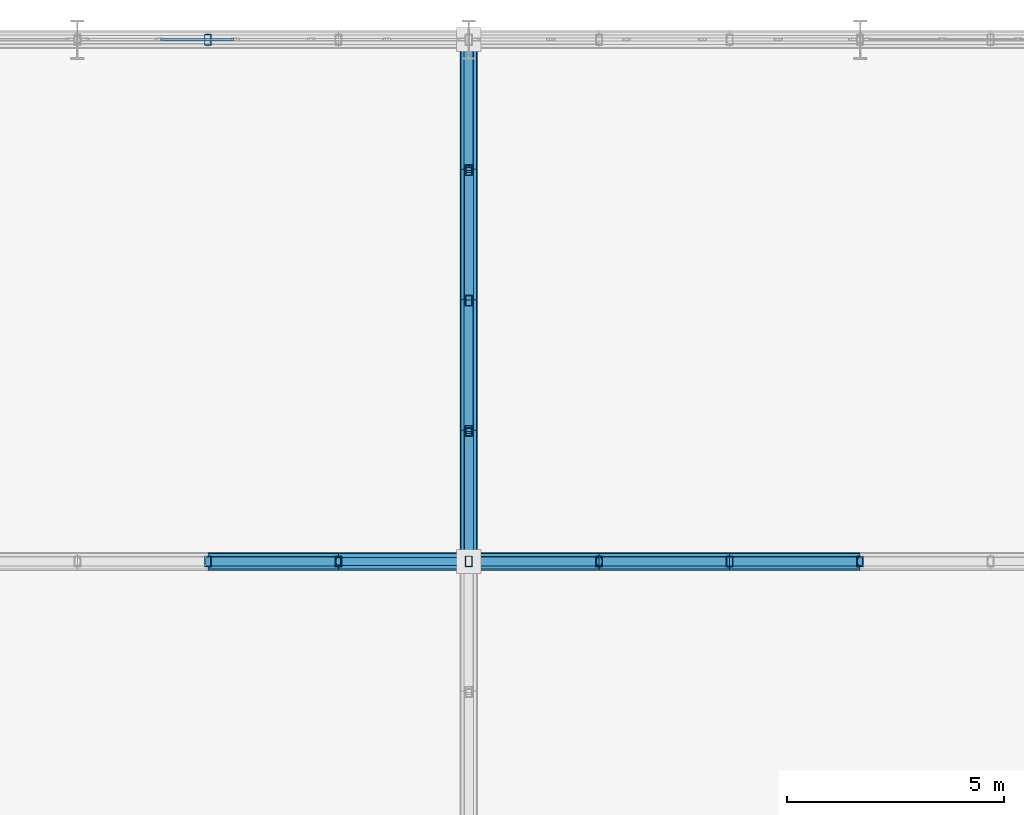
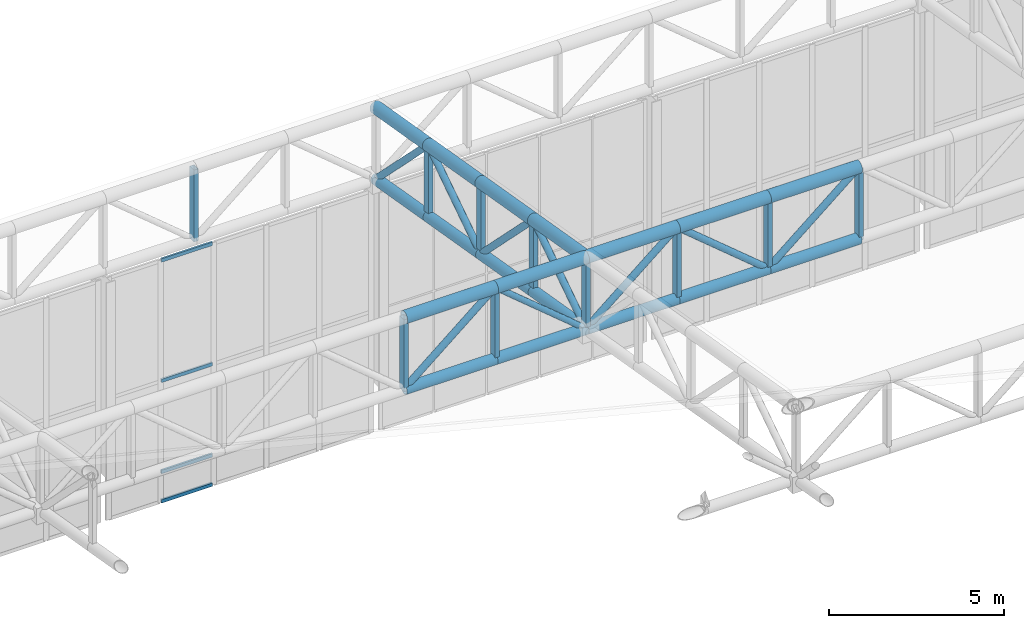
# One storey, part 110 of 239: 41 members, 1 element without a shape of its own.
"""IFC4 building model written with IfcOpenShell, lengths in metres."""

from ifc_helpers import new_model, si_unit, direction, frame, origin, origin_2d, place, context, subcontext, project, spatial, hollow_rectangle, hollow_circle, extrude, material, material_profile, profile_set, type_object, element, aggregate, save


model = new_model("IFC4")

# Units and contexts
model_context = context("Model", 3, precision=1e-05, world=origin(), true_north=direction((0.0, 1.0)))
body_context = subcontext(model_context, "Body", "Model", "MODEL_VIEW")
ifc_project = project(units=[si_unit("LENGTHUNIT", "METRE"), si_unit("AREAUNIT", "SQUARE_METRE"), si_unit("VOLUMEUNIT", "CUBIC_METRE"), si_unit("PLANEANGLEUNIT", "RADIAN"), si_unit("MASSUNIT", "GRAM", prefix="KILO")], contexts=[model_context])

# Site, building, storey
site_placement = place(None, origin())
site = spatial("IfcSite", under=ifc_project, at=site_placement, CompositionType="ELEMENT")
building_placement = place(site_placement, origin())
building = spatial("IfcBuilding", under=site, at=building_placement, Name="Kaldris Quays Convention Centre", CompositionType="ELEMENT")
storey_placement = place(building_placement, frame((0.0, 0.0, 11.39990234375)))
storey = spatial("IfcBuildingStorey", under=building, at=storey_placement, Name="L02", CompositionType="ELEMENT", Elevation=11.39990234375)

# Curtain wall, members
ifc_material_1 = material(Name="Anodized aluminium AW-6060 and triple glazing", Category="aluminium")
curtain_wall_type = type_object("IfcCurtainWallType", Name="UNITISED CURTAIN WALL CW03", PredefinedType="NOTDEFINED", material=ifc_material_1)
curtain_wall_placement = place(storey_placement, origin())
curtain_wall = element("IfcCurtainWall", 1, at=curtain_wall_placement, inside=storey, type_object=curtain_wall_type, Name="L02 Unitised Curtain Wall CW03 238", PredefinedType="NOTDEFINED")
ifc_material_2 = material(Name="Anodized aluminium AW-6060", Category="aluminium")
ifc_material_profile_1 = material_profile(ifc_material_2, hollow_rectangle(XDim=0.06005859375, YDim=0.1201171875, WallThickness=0.00390625, at=origin_2d()), Name="RHS 120x60x4")
ifc_profile_set_1 = profile_set([ifc_material_profile_1], Name="Anodized aluminium AW-6060")
member_type_1 = type_object("IfcMemberType", Name="CURTAIN TRANSOM CWT1", PredefinedType="USERDEFINED", material=ifc_profile_set_1)
member_1_placement = place(storey_placement, frame((66.9140625, 140.0, -1.574951171875), z_axis=(1.0, 0.0, 0.0), x_axis=(0.0, 1.0, 0.0)))
member_1 = element("IfcMember", 2, at=member_1_placement, type_object=member_type_1, Name="CW03 transom 2.1", ObjectType="TRANSOM", PredefinedType="USERDEFINED", context=body_context, shape_type="SweptSolid", body=[
    extrude(hollow_rectangle(XDim=0.06005859375, YDim=0.1201171875, WallThickness=0.00390625, at=origin_2d()), origin(), (0.0, 0.0, 1.0), 1.683837890625),
])
member_2_placement = place(storey_placement, frame((66.9140625, 140.0, -0.554931640625), z_axis=(1.0, 0.0, 0.0), x_axis=(0.0, 1.0, 0.0)))
member_2 = element("IfcMember", 3, at=member_2_placement, type_object=member_type_1, Name="CW03 transom 2.2", ObjectType="TRANSOM", PredefinedType="USERDEFINED", context=body_context, shape_type="SweptSolid", body=[
    extrude(hollow_rectangle(XDim=0.06005859375, YDim=0.1201171875, WallThickness=0.00390625, at=origin_2d()), origin(), (0.0, 0.0, 1.0), 1.683837890625),
])
member_3_placement = place(storey_placement, frame((66.9140625, 140.0, 2.623046875), z_axis=(1.0, 0.0, 0.0), x_axis=(0.0, 1.0, 0.0)))
member_3 = element("IfcMember", 4, at=member_3_placement, type_object=member_type_1, Name="CW03 transom 2.3", ObjectType="TRANSOM", PredefinedType="USERDEFINED", context=body_context, shape_type="SweptSolid", body=[
    extrude(hollow_rectangle(XDim=0.06005859375, YDim=0.1201171875, WallThickness=0.00390625, at=origin_2d()), origin(), (0.0, 0.0, 1.0), 1.683837890625),
])
member_4_placement = place(storey_placement, frame((66.9140625, 140.0, 6.820068359375), z_axis=(1.0, 0.0, 0.0), x_axis=(0.0, 1.0, 0.0)))
member_4 = element("IfcMember", 5, at=member_4_placement, type_object=member_type_1, Name="CW03 transom 2.4", ObjectType="TRANSOM", PredefinedType="USERDEFINED", context=body_context, shape_type="SweptSolid", body=[
    extrude(hollow_rectangle(XDim=0.06005859375, YDim=0.1201171875, WallThickness=0.00390625, at=origin_2d()), origin(), (0.0, 0.0, 1.0), 1.683837890625),
])
aggregate(curtain_wall, [member_1, member_2, member_3, member_4])

# Members
ifc_material_3 = material(Name="Steel S355J2H", Category="steel")
ifc_material_profile_2 = material_profile(ifc_material_3, hollow_circle(Radius=0.203125, WallThickness=0.01611328125, at=origin_2d()), Name="CHS 406.4x16")
ifc_profile_set_2 = profile_set([ifc_material_profile_2], Name="Steel S355J2H")
member_type_2 = type_object("IfcMemberType", Name="STRUCTURAL MEMBER SC01", PredefinedType="CHORD", material=ifc_profile_set_2)
for number, where, z_axis, x_axis, name in (
    (6, (68.0, 128.0, 11.72900390625), (1.0, 0.0, 0.0), (0.0, 1.0, 0.0), "SF-V1 Top Chord X 269"),
    (7, (71.0, 128.0, 11.72900390625), (1.0, 0.0, 0.0), (0.0, 1.0, 0.0), "SF-V1 Top Chord X 270"),
    (8, (74.0, 128.0, 11.72900390625), (1.0, 0.0, 0.0), (0.0, 1.0, 0.0), "SF-V1 Top Chord X 271"),
    (9, (77.0, 128.0, 11.72900390625), (1.0, 0.0, 0.0), (0.0, 1.0, 0.0), "SF-V1 Top Chord X 272"),
    (10, (80.0, 128.0, 11.72900390625), (1.0, 0.0, 0.0), (0.0, 1.0, 0.0), "SF-V1 Top Chord X 273"),
):
    element("IfcMember", number, at=place(storey_placement, frame(where, z_axis=z_axis, x_axis=x_axis)), inside=storey, type_object=member_type_2, Name=name, PredefinedType="CHORD", context=body_context, shape_type="SweptSolid", body=[
        extrude(hollow_circle(Radius=0.203125, WallThickness=0.01611328125, at=origin_2d()), origin(), (0.0, 0.0, 1.0), 3.0),
    ])
for number, where, z_axis, x_axis, name in (
    (11, (74.0, 128.0, 11.72900390625), (0.0, 0.98562912375, -0.168923741424), (-1.0, 0.0, 0.0), "SF-V1 Top Chord Y 445"),
    (12, (74.0, 131.0, 11.21484375), (0.0, 0.985615766076, -0.169001661712), (-1.0, 0.0, 0.0), "SF-V1 Top Chord Y 446"),
    (13, (74.0, 134.0, 10.700439453125), (0.0, 0.98562912375, -0.168923741424), (-1.0, 0.0, 0.0), "SF-V1 Top Chord Y 447"),
    (14, (74.0, 137.0, 10.186279296875), (0.0, 0.985615766076, -0.169001661712), (-1.0, 0.0, 0.0), "SF-V1 Top Chord Y 448"),
):
    element("IfcMember", number, at=place(storey_placement, frame(where, z_axis=z_axis, x_axis=x_axis)), inside=storey, type_object=member_type_2, Name=name, PredefinedType="CHORD", context=body_context, shape_type="SweptSolid", body=[
        extrude(hollow_circle(Radius=0.203125, WallThickness=0.01611328125, at=origin_2d()), origin(), (0.0, 0.0, 1.0), 3.043701171875),
    ])
ifc_material_profile_3 = material_profile(ifc_material_3, hollow_circle(Radius=0.177734375, WallThickness=0.01611328125, at=origin_2d()), Name="CHS 355.6x16")
ifc_profile_set_3 = profile_set([ifc_material_profile_3], Name="Steel S355J2H")
member_type_3 = type_object("IfcMemberType", Name="STRUCTURAL MEMBER SC02", PredefinedType="CHORD", material=ifc_profile_set_3)
for number, where, z_axis, x_axis, name in (
    (15, (68.0, 128.0, 9.22900390625), (1.0, 0.0, 0.0), (0.0, 1.0, 0.0), "SF-V1 Bottom Chord X 269"),
    (16, (71.0, 128.0, 9.22900390625), (1.0, 0.0, 0.0), (0.0, 1.0, 0.0), "SF-V1 Bottom Chord X 270"),
    (17, (74.0, 128.0, 9.22900390625), (1.0, 0.0, 0.0), (0.0, 1.0, 0.0), "SF-V1 Bottom Chord X 271"),
    (18, (77.0, 128.0, 9.22900390625), (1.0, 0.0, 0.0), (0.0, 1.0, 0.0), "SF-V1 Bottom Chord X 272"),
    (19, (80.0, 128.0, 9.22900390625), (1.0, 0.0, 0.0), (0.0, 1.0, 0.0), "SF-V1 Bottom Chord X 273"),
):
    element("IfcMember", number, at=place(storey_placement, frame(where, z_axis=z_axis, x_axis=x_axis)), inside=storey, type_object=member_type_3, Name=name, PredefinedType="CHORD", context=body_context, shape_type="SweptSolid", body=[
        extrude(hollow_circle(Radius=0.177734375, WallThickness=0.01611328125, at=origin_2d()), origin(), (0.0, 0.0, 1.0), 3.0),
    ])
for number, where, z_axis, x_axis, name in (
    (20, (74.0, 128.0, 9.22900390625), (0.0, 0.98562912375, -0.168923741424), (-1.0, 0.0, 0.0), "SF-V1 Bottom Chord Y 445"),
    (21, (74.0, 131.0, 8.71484375), (0.0, 0.985615766076, -0.169001661712), (-1.0, 0.0, 0.0), "SF-V1 Bottom Chord Y 446"),
    (22, (74.0, 134.0, 8.200439453125), (0.0, 0.98562912375, -0.168923741424), (-1.0, 0.0, 0.0), "SF-V1 Bottom Chord Y 447"),
    (23, (74.0, 137.0, 7.686279296875), (0.0, 0.985615766076, -0.169001661712), (-1.0, 0.0, 0.0), "SF-V1 Bottom Chord Y 448"),
):
    element("IfcMember", number, at=place(storey_placement, frame(where, z_axis=z_axis, x_axis=x_axis)), inside=storey, type_object=member_type_3, Name=name, PredefinedType="CHORD", context=body_context, shape_type="SweptSolid", body=[
        extrude(hollow_circle(Radius=0.177734375, WallThickness=0.01611328125, at=origin_2d()), origin(), (0.0, 0.0, 1.0), 3.043701171875),
    ])
ifc_material_profile_4 = material_profile(ifc_material_3, hollow_circle(Radius=0.109619140625, WallThickness=0.010009765625, at=origin_2d()), Name="CHS 219.1x10")
ifc_profile_set_4 = profile_set([ifc_material_profile_4], Name="Steel S355J2H")
member_type_4 = type_object("IfcMemberType", Name="STRUCTURAL MEMBER SWB1", PredefinedType="BRACE", material=ifc_profile_set_4)
for number, where, z_axis, x_axis, name in (
    (24, (68.0, 128.0, 9.22900390625), (0.768221279597, 0.0, 0.640184399664), (0.0, 1.0, 0.0), "SF-V1 Web Diagonal X 269"),
    (25, (74.0, 128.0, 9.22900390625), (0.768221279597, 0.0, 0.640184399664), (0.0, 1.0, 0.0), "SF-V1 Web Diagonal X 271"),
    (26, (80.0, 128.0, 9.22900390625), (-0.768221279597, 0.0, 0.640184399664), (0.0, -1.0, 0.0), "SF-V1 Web Diagonal X 272"),
    (27, (80.0, 128.0, 9.22900390625), (0.768221279597, 0.0, 0.640184399664), (0.0, 1.0, 0.0), "SF-V1 Web Diagonal X 273"),
):
    element("IfcMember", number, at=place(storey_placement, frame(where, z_axis=z_axis, x_axis=x_axis)), inside=storey, type_object=member_type_4, Name=name, PredefinedType="BRACE", context=body_context, shape_type="SweptSolid", body=[
        extrude(hollow_circle(Radius=0.109619140625, WallThickness=0.010009765625, at=origin_2d()), origin(), (0.0, 0.0, 1.0), 3.905029296875),
    ])
member_5_placement = place(storey_placement, frame((74.0, 128.0, 9.22900390625), z_axis=(0.0, 0.833862389808, 0.551972385962), x_axis=(-1.0, 0.0, 0.0)))
element("IfcMember", 28, at=member_5_placement, inside=storey, type_object=member_type_4, Name="SF-V1 Web Diagonal Y 445", PredefinedType="BRACE", context=body_context, shape_type="SweptSolid", body=[
    extrude(hollow_circle(Radius=0.109619140625, WallThickness=0.010009765625, at=origin_2d()), origin(), (0.0, 0.0, 1.0), 3.59765625),
])
member_6_placement = place(storey_placement, frame((74.0, 134.0, 8.200439453125), z_axis=(0.0, -0.705411261057, 0.708798245465), x_axis=(1.0, 0.0, 0.0)))
element("IfcMember", 29, at=member_6_placement, inside=storey, type_object=member_type_4, Name="SF-V1 Web Diagonal Y 446", PredefinedType="BRACE", context=body_context, shape_type="SweptSolid", body=[
    extrude(hollow_circle(Radius=0.109619140625, WallThickness=0.010009765625, at=origin_2d()), origin(), (0.0, 0.0, 1.0), 4.2529296875),
])
member_7_placement = place(storey_placement, frame((74.0, 134.0, 8.200439453125), z_axis=(0.0, 0.833862389808, 0.551972385962), x_axis=(-1.0, 0.0, 0.0)))
element("IfcMember", 30, at=member_7_placement, inside=storey, type_object=member_type_4, Name="SF-V1 Web Diagonal Y 447", PredefinedType="BRACE", context=body_context, shape_type="SweptSolid", body=[
    extrude(hollow_circle(Radius=0.109619140625, WallThickness=0.010009765625, at=origin_2d()), origin(), (0.0, 0.0, 1.0), 3.59765625),
])
member_8_placement = place(storey_placement, frame((74.0, 140.0, 7.171875), z_axis=(0.0, -0.705411261057, 0.708798245465), x_axis=(1.0, 0.0, 0.0)))
element("IfcMember", 31, at=member_8_placement, inside=storey, type_object=member_type_4, Name="SF-V1 Web Diagonal Y 448", PredefinedType="BRACE", context=body_context, shape_type="SweptSolid", body=[
    extrude(hollow_circle(Radius=0.109619140625, WallThickness=0.010009765625, at=origin_2d()), origin(), (0.0, 0.0, 1.0), 4.2529296875),
])
ifc_material_profile_5 = material_profile(ifc_material_3, hollow_circle(Radius=0.096923828125, WallThickness=0.008056640625, at=origin_2d()), Name="CHS 193.7x8")
ifc_profile_set_5 = profile_set([ifc_material_profile_5], Name="Steel S355J2H")
member_type_5 = type_object("IfcMemberType", Name="STRUCTURAL MEMBER SWB3", PredefinedType="BRACE", material=ifc_profile_set_5)
member_9_placement = place(storey_placement, frame((74.0, 128.0, 9.22900390625), z_axis=(-0.768221279597, 0.0, 0.640184399664), x_axis=(0.0, -1.0, 0.0)))
element("IfcMember", 32, at=member_9_placement, inside=storey, type_object=member_type_5, Name="SF-V1 Web Diagonal X 270", PredefinedType="BRACE", context=body_context, shape_type="SweptSolid", body=[
    extrude(hollow_circle(Radius=0.096923828125, WallThickness=0.008056640625, at=origin_2d()), origin(), (0.0, 0.0, 1.0), 3.905029296875),
])
ifc_material_profile_6 = material_profile(ifc_material_3, hollow_rectangle(XDim=0.14990234375, YDim=0.25, WallThickness=0.010009765625, at=origin_2d()), Name="RHS 250x150x10")
ifc_profile_set_6 = profile_set([ifc_material_profile_6], Name="Steel S355J2H")
member_type_6 = type_object("IfcMemberType", Name="STRUCTURAL MEMBER TTV1", PredefinedType="POST", material=ifc_profile_set_6)
for number, where, z_axis, x_axis, name in (
    (33, (68.0, 128.0, 9.22900390625), (0.0, 0.0, 1.0), (1.0, 0.0, 0.0), "SF-V1 Space-Frame Post 198"),
    (34, (68.0, 140.0, 7.171875), (0.0, 0.0, 1.0), (1.0, 0.0, 0.0), "SF-V1 Space-Frame Post 199"),
    (35, (71.0, 128.0, 9.22900390625), (0.0, 0.0, 1.0), (1.0, 0.0, 0.0), "SF-V1 Space-Frame Post 206"),
    (36, (74.0, 128.0, 9.22900390625), (0.0, 0.0, 1.0), (1.0, 0.0, 0.0), "SF-V1 Space-Frame Post 232"),
    (37, (74.0, 131.0, 8.71484375), (0.0, 0.0, 1.0), (1.0, 0.0, 0.0), "SF-V1 Space-Frame Post 233"),
    (38, (74.0, 134.0, 8.200439453125), (0.0, 0.0, 1.0), (1.0, 0.0, 0.0), "SF-V1 Space-Frame Post 234"),
    (39, (74.0, 137.0, 7.686279296875), (0.0, 0.0, 1.0), (1.0, 0.0, 0.0), "SF-V1 Space-Frame Post 235"),
    (40, (77.0, 128.0, 9.22900390625), (0.0, 0.0, 1.0), (1.0, 0.0, 0.0), "SF-V1 Space-Frame Post 243"),
    (41, (80.0, 128.0, 9.22900390625), (0.0, 0.0, 1.0), (1.0, 0.0, 0.0), "SF-V1 Space-Frame Post 251"),
    (42, (83.0, 128.0, 9.22900390625), (0.0, 0.0, 1.0), (1.0, 0.0, 0.0), "SF-V1 Space-Frame Post 259"),
):
    element("IfcMember", number, at=place(storey_placement, frame(where, z_axis=z_axis, x_axis=x_axis)), inside=storey, type_object=member_type_6, Name=name, PredefinedType="POST", context=body_context, shape_type="SweptSolid", body=[
        extrude(hollow_rectangle(XDim=0.14990234375, YDim=0.25, WallThickness=0.010009765625, at=origin_2d()), origin(), (0.0, 0.0, 1.0), 2.5),
    ])

save(model, "model.ifc")
